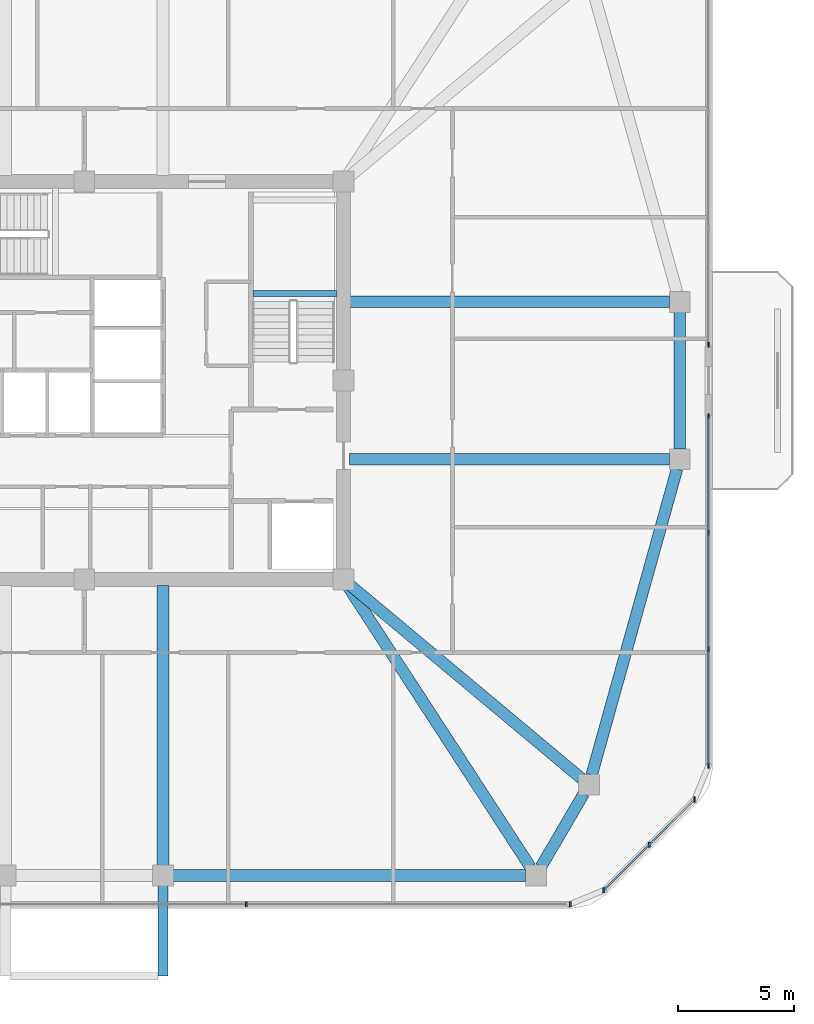
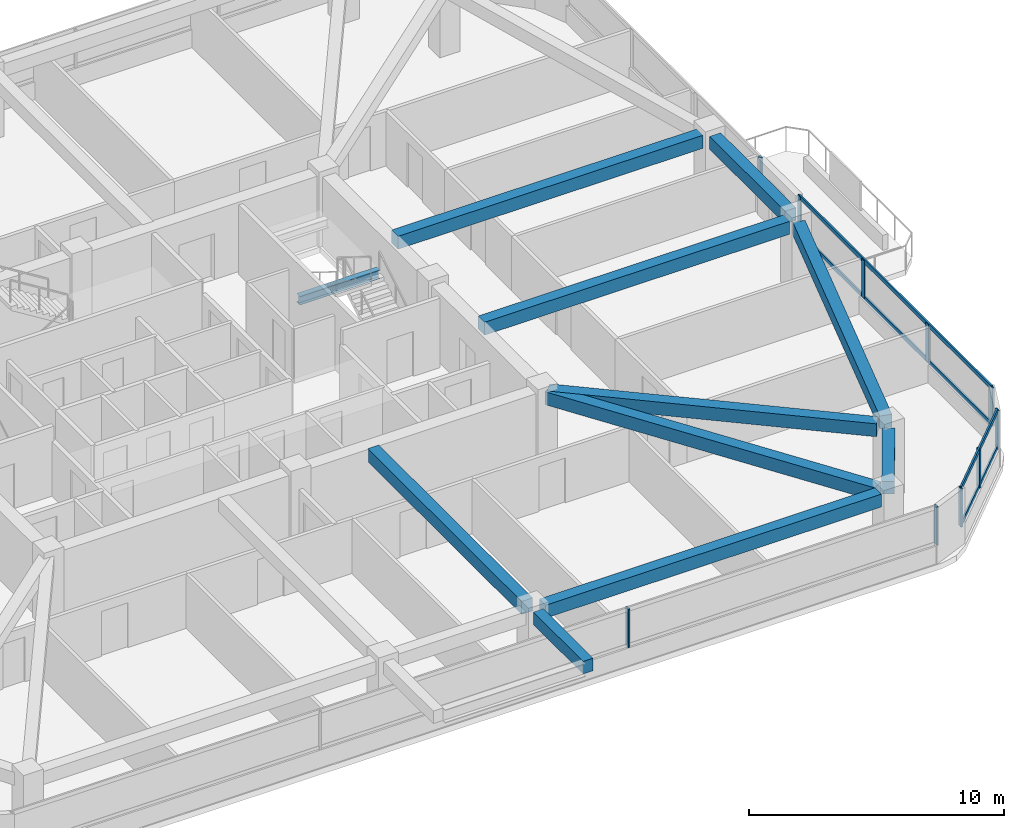
# One storey, part 5 of 14: 14 members, 11 beams, 4 elements without a shape of their own.
"""IFC4 building model written with IfcOpenShell, lengths in metres."""

from ifc_helpers import new_model, si_unit, derived_unit, direction, frame, origin, origin_2d, place, context, subcontext, project, spatial, rectangle, i_section, extrude, material, material_profile, profile_set, type_object, element, aggregate, save


model = new_model("IFC4")

# Units and contexts
model_context = context("Model", 3, precision=1e-05, world=origin(), true_north=direction((0.0, 1.0)))
body_context = subcontext(model_context, "Body", "Model", "MODEL_VIEW")
ifc_project = project(units=[si_unit("LENGTHUNIT", "METRE"), si_unit("AREAUNIT", "SQUARE_METRE"), si_unit("VOLUMEUNIT", "CUBIC_METRE"), si_unit("PLANEANGLEUNIT", "RADIAN"), si_unit("MASSUNIT", "GRAM", prefix="KILO"), derived_unit("THERMALTRANSMITTANCEUNIT", [(si_unit("POWERUNIT", "WATT"), 1), (si_unit("LENGTHUNIT", "METRE"), -2), (si_unit("THERMODYNAMICTEMPERATUREUNIT", "KELVIN"), -1)])], contexts=[model_context])

# Site, building, storey
site_placement = place(None, origin())
site = spatial("IfcSite", under=ifc_project, at=site_placement, CompositionType="ELEMENT")
building_placement = place(site_placement, origin())
building = spatial("IfcBuilding", under=site, at=building_placement, Name="Koralith Skygarden Medical Center", CompositionType="ELEMENT")
storey_placement = place(building_placement, frame((0.0, 0.0, 225.179931640625)))
storey = spatial("IfcBuildingStorey", under=building, at=storey_placement, Name="L58", CompositionType="ELEMENT", Elevation=225.179931640625)

# Curtain wall, members
ifc_material_1 = material(Name="Clear Laminated Glass", Category="glass")
curtain_wall_type = type_object("IfcCurtainWallType", Name="CW-5 Zone 4 Flare Biophilic Curtain Wall", PredefinedType="NOTDEFINED", material=ifc_material_1)
curtain_wall_1_placement = place(storey_placement, origin())
curtain_wall_1 = element("IfcCurtainWall", 1, at=curtain_wall_1_placement, inside=storey, type_object=curtain_wall_type, Name="Curtain Wall CW-L58-S", PredefinedType="NOTDEFINED")
ifc_material_2 = material(Name="Aluminium 6063-T6", Category="aluminium")
ifc_material_profile_1 = material_profile(ifc_material_2, rectangle(XDim=0.080078125, YDim=0.219970703125, at=origin_2d()), Name="MUL80X220")
ifc_profile_set_1 = profile_set([ifc_material_profile_1], Name="Aluminium 6063-T6")
member_type_1 = type_object("IfcMemberType", Name="CW-5 Extruded Mullion 80x220", PredefinedType="MULLION", material=ifc_profile_set_1)
member_1_placement = place(storey_placement, frame((43.99609375, 3.280029296875, 0.85009765625), z_axis=(0.0, 0.0, 1.0), x_axis=(1.0, 0.0, 0.0)))
member_1 = element("IfcMember", 2, at=member_1_placement, type_object=member_type_1, Name="CW-L58-S Mullion 3", PredefinedType="MULLION", context=body_context, shape_type="SweptSolid", body=[
    extrude(rectangle(XDim=0.080078125, YDim=0.219970703125, at=origin_2d()), origin(), (0.0, 0.0, 1.0), 1.840087890625),
])
member_2_placement = place(storey_placement, frame((57.987060546875, 3.280029296875, 0.85009765625), z_axis=(0.0, 0.0, 1.0), x_axis=(1.0, 0.0, 0.0)))
member_2 = element("IfcMember", 3, at=member_2_placement, type_object=member_type_1, Name="CW-L58-S Mullion 4", PredefinedType="MULLION", context=body_context, shape_type="SweptSolid", body=[
    extrude(rectangle(XDim=0.080078125, YDim=0.219970703125, at=origin_2d()), origin(), (0.0, 0.0, 1.0), 1.840087890625),
])
aggregate(curtain_wall_1, [member_1, member_2])

curtain_wall_2_placement = place(storey_placement, origin())
curtain_wall_2 = element("IfcCurtainWall", 4, at=curtain_wall_2_placement, inside=storey, type_object=curtain_wall_type, Name="Curtain Wall CW-L58-SE", PredefinedType="NOTDEFINED")
member_3_placement = place(storey_placement, frame((59.43798828125, 3.881103515625, 0.85009765625), z_axis=(0.0, 0.0, 1.0), x_axis=(1.0, 0.0, 0.0)))
member_3 = element("IfcMember", 5, at=member_3_placement, type_object=member_type_1, Name="CW-L58-SE Mullion 1", PredefinedType="MULLION", context=body_context, shape_type="SweptSolid", body=[
    extrude(rectangle(XDim=0.080078125, YDim=0.219970703125, at=origin_2d()), origin(), (0.0, 0.0, 1.0), 1.840087890625),
])
member_4_placement = place(storey_placement, frame((61.39892578125, 5.843017578125, 0.85009765625), z_axis=(0.0, 0.0, 1.0), x_axis=(1.0, 0.0, 0.0)))
member_4 = element("IfcMember", 6, at=member_4_placement, type_object=member_type_1, Name="CW-L58-SE Mullion 2", PredefinedType="MULLION", context=body_context, shape_type="SweptSolid", body=[
    extrude(rectangle(XDim=0.080078125, YDim=0.219970703125, at=origin_2d()), origin(), (0.0, 0.0, 1.0), 1.840087890625),
])
member_5_placement = place(storey_placement, frame((63.361083984375, 7.803955078125, 0.85009765625), z_axis=(0.0, 0.0, 1.0), x_axis=(1.0, 0.0, 0.0)))
member_5 = element("IfcMember", 7, at=member_5_placement, type_object=member_type_1, Name="CW-L58-SE Mullion 3", PredefinedType="MULLION", context=body_context, shape_type="SweptSolid", body=[
    extrude(rectangle(XDim=0.080078125, YDim=0.219970703125, at=origin_2d()), origin(), (0.0, 0.0, 1.0), 1.840087890625),
])

curtain_wall_3_placement = place(storey_placement, origin())
curtain_wall_3 = element("IfcCurtainWall", 8, at=curtain_wall_3_placement, inside=storey, type_object=curtain_wall_type, Name="Curtain Wall CW-L58-E-L", PredefinedType="NOTDEFINED")
member_6_placement = place(storey_placement, frame((63.9619140625, 9.2548828125, 0.85009765625), z_axis=(0.0, 0.0, 1.0), x_axis=(1.0, 0.0, 0.0)))
member_6 = element("IfcMember", 9, at=member_6_placement, type_object=member_type_1, Name="CW-L58-E-L Mullion 1", PredefinedType="MULLION", context=body_context, shape_type="SweptSolid", body=[
    extrude(rectangle(XDim=0.080078125, YDim=0.219970703125, at=origin_2d()), origin(), (0.0, 0.0, 1.0), 1.840087890625),
])
member_7_placement = place(storey_placement, frame((63.9619140625, 14.2900390625, 0.85009765625), z_axis=(0.0, 0.0, 1.0), x_axis=(1.0, 0.0, 0.0)))
member_7 = element("IfcMember", 10, at=member_7_placement, type_object=member_type_1, Name="CW-L58-E-L Mullion 2", PredefinedType="MULLION", context=body_context, shape_type="SweptSolid", body=[
    extrude(rectangle(XDim=0.080078125, YDim=0.219970703125, at=origin_2d()), origin(), (0.0, 0.0, 1.0), 1.840087890625),
])
member_8_placement = place(storey_placement, frame((63.9619140625, 19.324951171875, 0.85009765625), z_axis=(0.0, 0.0, 1.0), x_axis=(1.0, 0.0, 0.0)))
member_8 = element("IfcMember", 11, at=member_8_placement, type_object=member_type_1, Name="CW-L58-E-L Mullion 3", PredefinedType="MULLION", context=body_context, shape_type="SweptSolid", body=[
    extrude(rectangle(XDim=0.080078125, YDim=0.219970703125, at=origin_2d()), origin(), (0.0, 0.0, 1.0), 1.840087890625),
])
member_9_placement = place(storey_placement, frame((63.9619140625, 24.360107421875, 0.85009765625), z_axis=(0.0, 0.0, 1.0), x_axis=(1.0, 0.0, 0.0)))
member_9 = element("IfcMember", 12, at=member_9_placement, type_object=member_type_1, Name="CW-L58-E-L Mullion 4", PredefinedType="MULLION", context=body_context, shape_type="SweptSolid", body=[
    extrude(rectangle(XDim=0.080078125, YDim=0.219970703125, at=origin_2d()), origin(), (0.0, 0.0, 1.0), 1.840087890625),
])

# Curtain wall, member
curtain_wall_4_placement = place(storey_placement, origin())
curtain_wall_4 = element("IfcCurtainWall", 13, at=curtain_wall_4_placement, inside=storey, type_object=curtain_wall_type, Name="Curtain Wall CW-L58-E-R", PredefinedType="NOTDEFINED")
member_10_placement = place(storey_placement, frame((63.9619140625, 27.43994140625, 0.85009765625), z_axis=(0.0, 0.0, 1.0), x_axis=(1.0, 0.0, 0.0)))
member_10 = element("IfcMember", 14, at=member_10_placement, type_object=member_type_1, Name="CW-L58-E-R Mullion 1", PredefinedType="MULLION", context=body_context, shape_type="SweptSolid", body=[
    extrude(rectangle(XDim=0.080078125, YDim=0.219970703125, at=origin_2d()), origin(), (0.0, 0.0, 1.0), 1.840087890625),
])
aggregate(curtain_wall_4, [member_10])

# Member
ifc_material_profile_2 = material_profile(ifc_material_2, rectangle(XDim=0.074951171875, YDim=0.197998046875, at=origin_2d()), Name="TRN75X198")
ifc_profile_set_2 = profile_set([ifc_material_profile_2], Name="Aluminium 6063-T6")
member_type_2 = type_object("IfcMemberType", Name="CW-5 Thermal Transom 75x198", PredefinedType="USERDEFINED", material=ifc_profile_set_2)
member_11_placement = place(storey_placement, frame((59.43798828125, 3.881103515625, 0.900146484375), z_axis=(0.707128783731, 0.707084777957, 0.0), x_axis=(-0.707084777957, 0.707128783731, 0.0)))
member_11 = element("IfcMember", 15, at=member_11_placement, type_object=member_type_2, Name="CW-L58-SE Transom 1", ObjectType="TRANSOM", PredefinedType="USERDEFINED", context=body_context, shape_type="SweptSolid", body=[
    extrude(rectangle(XDim=0.074951171875, YDim=0.197998046875, at=origin_2d()), origin(), (0.0, 0.0, 1.0), 5.5478515625),
])

member_12_placement = place(storey_placement, frame((59.43798828125, 3.881103515625, 2.64013671875), z_axis=(0.707128783731, 0.707084777957, 0.0), x_axis=(-0.707084777957, 0.707128783731, 0.0)))
member_12 = element("IfcMember", 16, at=member_12_placement, type_object=member_type_2, Name="CW-L58-SE Transom 2", ObjectType="TRANSOM", PredefinedType="USERDEFINED", context=body_context, shape_type="SweptSolid", body=[
    extrude(rectangle(XDim=0.074951171875, YDim=0.197998046875, at=origin_2d()), origin(), (0.0, 0.0, 1.0), 5.5478515625),
])

aggregate(curtain_wall_2, [member_3, member_4, member_5, member_11, member_12])

member_13_placement = place(storey_placement, frame((63.9619140625, 9.2548828125, 0.900146484375), z_axis=(0.0, 1.0, 0.0), x_axis=(-1.0, 0.0, 0.0)))
member_13 = element("IfcMember", 17, at=member_13_placement, type_object=member_type_2, Name="CW-L58-E-L Transom 1", ObjectType="TRANSOM", PredefinedType="USERDEFINED", context=body_context, shape_type="SweptSolid", body=[
    extrude(rectangle(XDim=0.074951171875, YDim=0.197998046875, at=origin_2d()), origin(), (0.0, 0.0, 1.0), 15.105224609375),
])

member_14_placement = place(storey_placement, frame((63.9619140625, 9.2548828125, 2.64013671875), z_axis=(0.0, 1.0, 0.0), x_axis=(-1.0, 0.0, 0.0)))
member_14 = element("IfcMember", 18, at=member_14_placement, type_object=member_type_2, Name="CW-L58-E-L Transom 2", ObjectType="TRANSOM", PredefinedType="USERDEFINED", context=body_context, shape_type="SweptSolid", body=[
    extrude(rectangle(XDim=0.074951171875, YDim=0.197998046875, at=origin_2d()), origin(), (0.0, 0.0, 1.0), 15.105224609375),
])

aggregate(curtain_wall_3, [member_6, member_7, member_8, member_9, member_13, member_14])

# Beams
ifc_material_3 = material(Name="Steel ASTM A992 Grade 50", Category="steel")
ifc_material_profile_3 = material_profile(ifc_material_3, i_section(OverallWidth=0.260009765625, OverallDepth=0.4150390625, WebThickness=0.010009765625, FlangeThickness=0.016845703125, at=origin_2d()), Name="W16X67")
ifc_profile_set_3 = profile_set([ifc_material_profile_3], Name="Steel ASTM A992 Grade 50")
beam_type_1 = type_object("IfcBeamType", Name="Clinical Floor Joist W16X67", PredefinedType="JOIST", material=ifc_profile_set_3)
beam_1_placement = place(storey_placement, frame((44.280029296875, 29.659912109375, 1.39208984375), z_axis=(1.0, 0.0, 0.0), x_axis=(0.0, 1.0, 0.0)))
element("IfcBeam", 19, at=beam_1_placement, inside=storey, type_object=beam_type_1, Name="L58 Stair ST2 Half-Landing Support Beam 1A", PredefinedType="JOIST", context=body_context, shape_type="SweptSolid", body=[
    extrude(i_section(OverallWidth=0.260009765625, OverallDepth=0.4150390625, WebThickness=0.010009765625, FlangeThickness=0.016845703125, at=origin_2d()), origin(), (0.0, 0.0, 1.0), 3.639892578125),
])
ifc_material_4 = material(Name="Concrete C45/55", Category="concrete")
ifc_material_profile_4 = material_profile(ifc_material_4, rectangle(XDim=0.449951171875, YDim=0.60009765625, at=origin_2d()), Name="RCB450X600")
ifc_profile_set_4 = profile_set([ifc_material_profile_4], Name="Concrete C45/55")
beam_type_2 = type_object("IfcBeamType", Name="Planted Balcony Cantilever Beam RCB450X600", PredefinedType="BEAM", material=ifc_profile_set_4)
beam_2_placement = place(storey_placement, frame((40.39990234375, 4.090087890625, 3.0400390625), z_axis=(0.0, -1.0, 0.0), x_axis=(1.0, 0.0, 0.0)))
element("IfcBeam", 20, at=beam_2_placement, inside=storey, type_object=beam_type_2, Name="L59 S Balcony Cantilever Beam B", PredefinedType="BEAM", context=body_context, shape_type="SweptSolid", body=[
    extrude(rectangle(XDim=0.449951171875, YDim=0.60009765625, at=origin_2d()), origin(), (0.0, 0.0, 1.0), 3.920166015625),
])
ifc_material_profile_5 = material_profile(ifc_material_4, rectangle(XDim=0.5, YDim=0.6201171875, at=origin_2d()), Name="RCB500X620")
ifc_profile_set_5 = profile_set([ifc_material_profile_5], Name="Concrete C45/55")
beam_type_3 = type_object("IfcBeamType", Name="Upper Radial Collector Beam RCB500X620", PredefinedType="BEAM", material=ifc_profile_set_5)
beam_3_placement = place(storey_placement, frame((40.39990234375, 17.050048828125, 3.010009765625), z_axis=(0.0, -1.0, 0.0), x_axis=(1.0, 0.0, 0.0)))
element("IfcBeam", 21, at=beam_3_placement, inside=storey, type_object=beam_type_3, Name="L58 Radial Collector Beam RB-05", PredefinedType="BEAM", context=body_context, shape_type="SweptSolid", body=[
    extrude(rectangle(XDim=0.5, YDim=0.6201171875, at=origin_2d()), origin(), (0.0, 0.0, 1.0), 12.090087890625),
])
beam_4_placement = place(storey_placement, frame((48.3359375, 17.090087890625, 3.010009765625), z_axis=(0.5451487187, -0.838339355214, 0.0), x_axis=(0.838339355214, 0.5451487187, 0.0)))
element("IfcBeam", 22, at=beam_4_placement, inside=storey, type_object=beam_type_3, Name="L58 Radial Collector Beam RB-06", PredefinedType="BEAM", context=body_context, shape_type="SweptSolid", body=[
    extrude(rectangle(XDim=0.5, YDim=0.6201171875, at=origin_2d()), origin(), (0.0, 0.0, 1.0), 14.553955078125),
])
beam_5_placement = place(storey_placement, frame((48.39208984375, 17.139892578125, 3.010009765625), z_axis=(0.767298159165, -0.64129052304, 0.0), x_axis=(0.64129052304, 0.767298159165, 0.0)))
element("IfcBeam", 23, at=beam_5_placement, inside=storey, type_object=beam_type_3, Name="L58 Radial Collector Beam RB-07", PredefinedType="BEAM", context=body_context, shape_type="SweptSolid", body=[
    extrude(rectangle(XDim=0.5, YDim=0.6201171875, at=origin_2d()), origin(), (0.0, 0.0, 1.0), 13.126708984375),
])
for number, where, z_axis, x_axis, name in (
    (24, (48.449951171875, 22.5, 3.010009765625), (1.0, 0.0, 0.0), (0.0, 1.0, 0.0), "L58 Radial Collector Beam RB-08"),
    (25, (48.449951171875, 29.300048828125, 3.010009765625), (1.0, 0.0, 0.0), (0.0, 1.0, 0.0), "L58 Radial Collector Beam RB-09"),
):
    element("IfcBeam", number, at=place(storey_placement, frame(where, z_axis=z_axis, x_axis=x_axis)), inside=storey, type_object=beam_type_3, Name=name, PredefinedType="BEAM", context=body_context, shape_type="SweptSolid", body=[
        extrude(rectangle(XDim=0.5, YDim=0.6201171875, at=origin_2d()), origin(), (0.0, 0.0, 1.0), 13.83203125),
    ])
ifc_material_profile_6 = material_profile(ifc_material_4, rectangle(XDim=0.5, YDim=0.6201171875, at=origin_2d()), Name="RCB500X620")
ifc_profile_set_6 = profile_set([ifc_material_profile_6], Name="Concrete C45/55")
beam_type_4 = type_object("IfcBeamType", Name="Zone 4-5 Spandrel Beam RCB500X620", PredefinedType="SPANDREL", material=ifc_profile_set_6)
beam_6_placement = place(storey_placement, frame((40.840087890625, 4.52001953125, 3.010009765625), z_axis=(1.0, 0.0, 0.0), x_axis=(0.0, 1.0, 0.0)))
element("IfcBeam", 26, at=beam_6_placement, inside=storey, type_object=beam_type_4, Name="L58 Perimeter Spandrel Beam SP-05", PredefinedType="SPANDREL", context=body_context, shape_type="SweptSolid", body=[
    extrude(rectangle(XDim=0.5, YDim=0.6201171875, at=origin_2d()), origin(), (0.0, 0.0, 1.0), 15.22998046875),
])
beam_7_placement = place(storey_placement, frame((56.73193359375, 4.89990234375, 3.010009765625), z_axis=(0.504832687441, 0.863217213505, 0.0), x_axis=(-0.863217213505, 0.504832687441, 0.0)))
element("IfcBeam", 27, at=beam_7_placement, inside=storey, type_object=beam_type_4, Name="L58 Perimeter Spandrel Beam SP-06", PredefinedType="SPANDREL", context=body_context, shape_type="SweptSolid", body=[
    extrude(rectangle(XDim=0.5, YDim=0.6201171875, at=origin_2d()), origin(), (0.0, 0.0, 1.0), 3.660888671875),
])
beam_8_placement = place(storey_placement, frame((58.919921875, 8.864013671875, 3.010009765625), z_axis=(0.26859849356, 0.96325222515, 0.0), x_axis=(-0.96325222515, 0.26859849356, 0.0)))
element("IfcBeam", 28, at=beam_8_placement, inside=storey, type_object=beam_type_4, Name="L58 Perimeter Spandrel Beam SP-07", PredefinedType="SPANDREL", context=body_context, shape_type="SweptSolid", body=[
    extrude(rectangle(XDim=0.5, YDim=0.6201171875, at=origin_2d()), origin(), (0.0, 0.0, 1.0), 13.716064453125),
])
beam_9_placement = place(storey_placement, frame((62.721923828125, 22.93994140625, 3.010009765625), z_axis=(0.0, 1.0, 0.0), x_axis=(-1.0, 0.0, 0.0)))
element("IfcBeam", 29, at=beam_9_placement, inside=storey, type_object=beam_type_4, Name="L58 Perimeter Spandrel Beam SP-08", PredefinedType="SPANDREL", context=body_context, shape_type="SweptSolid", body=[
    extrude(rectangle(XDim=0.5, YDim=0.6201171875, at=origin_2d()), origin(), (0.0, 0.0, 1.0), 5.920166015625),
])

save(model, "model.ifc")
